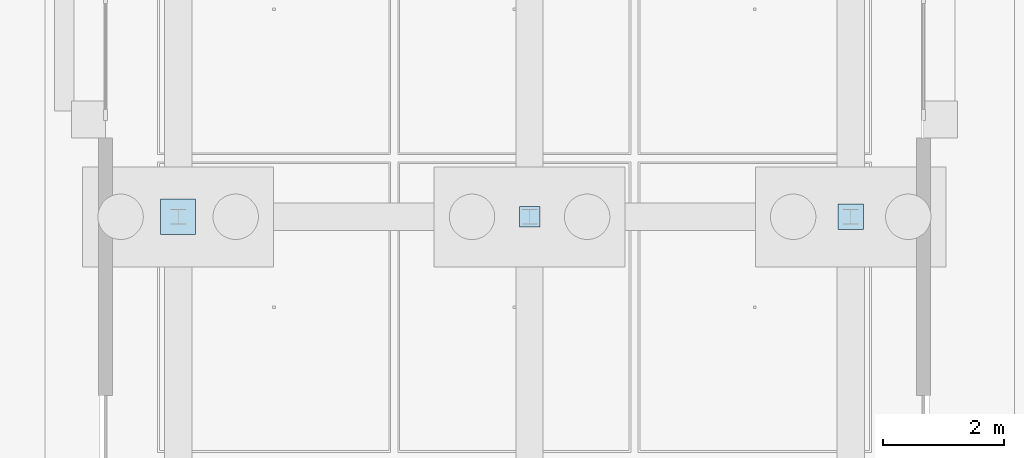
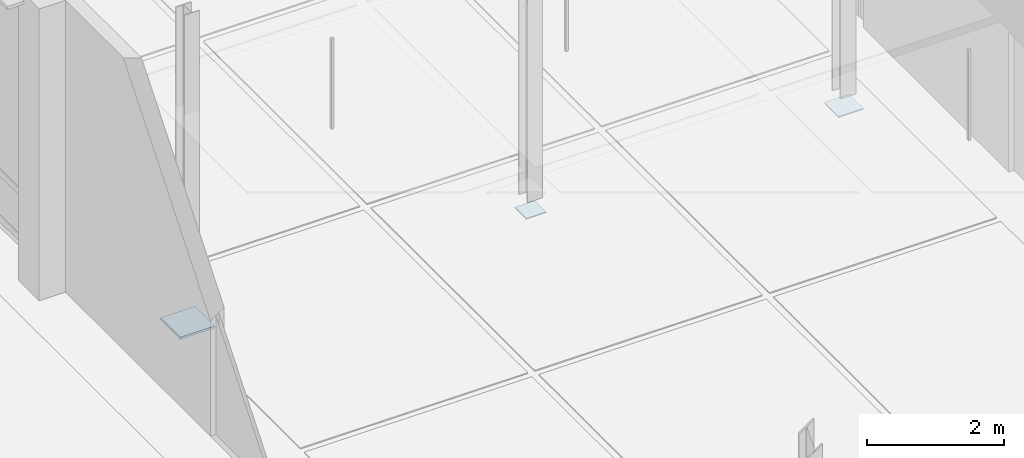
# One storey, part 86 of 180: 3 plates.
"""IFC4 building model written with IfcOpenShell, lengths in metres."""

from ifc_helpers import new_model, si_unit, direction, frame, origin, origin_2d, place, context, subcontext, project, spatial, rectangle, extrude, material, layer, layer_set, type_object, element, save


model = new_model("IFC4")

# Units and contexts
model_context = context("Model", 3, precision=1e-05, world=origin(), true_north=direction((0.0, 1.0)))
body_context = subcontext(model_context, "Body", "Model", "MODEL_VIEW")
ifc_project = project(units=[si_unit("LENGTHUNIT", "METRE"), si_unit("AREAUNIT", "SQUARE_METRE"), si_unit("VOLUMEUNIT", "CUBIC_METRE"), si_unit("PLANEANGLEUNIT", "RADIAN"), si_unit("MASSUNIT", "GRAM", prefix="KILO"), si_unit("THERMODYNAMICTEMPERATUREUNIT", "KELVIN"), si_unit("POWERUNIT", "WATT")], contexts=[model_context])

# Site, building, storey
site_placement = place(None, origin())
site = spatial("IfcSite", under=ifc_project, at=site_placement, CompositionType="ELEMENT")
building_placement = place(site_placement, origin())
building = spatial("IfcBuilding", under=site, at=building_placement, Name="Tallowbark Science Centre", CompositionType="ELEMENT")
storey_placement = place(building_placement, origin())
storey = spatial("IfcBuildingStorey", under=building, at=storey_placement, Name="L00", CompositionType="ELEMENT", Elevation=0.0)

# Plates
ifc_material = material(Name="Structural Steel Grade 300PLUS (300 MPa)", Category="steel")
ifc_layer_1 = layer(ifc_material, 0.013916015625)
ifc_layer_set_1 = layer_set([ifc_layer_1], Name="Structural Steel Grade 300PLUS (300 MPa)")
plate_type_1 = type_object("IfcPlateType", Name="PLT-GUS-14", PredefinedType="SHEET", material=ifc_layer_set_1)
plate_1_placement = place(storey_placement, frame((106.0, 60.199951171875, -0.23974609375), z_axis=(0.0, 0.0, 1.0), x_axis=(1.0, 0.0, 0.0)))
element("IfcPlate", 1, at=plate_1_placement, inside=storey, type_object=plate_type_1, Name="Column Baseplate LNK-1_2", PredefinedType="SHEET", context=body_context, shape_type="SweptSolid", body=[
    extrude(rectangle(XDim=0.340087890625, YDim=0.340087890625, at=origin_2d()), origin(), (0.0, 0.0, 1.0), 0.013916015625),
])
ifc_layer_2 = layer(ifc_material, 0.02197265625)
ifc_layer_set_2 = layer_set([ifc_layer_2], Name="Structural Steel Grade 300PLUS (300 MPa)")
plate_type_2 = type_object("IfcPlateType", Name="PLT-GUS-22", PredefinedType="SHEET", material=ifc_layer_set_2)
plate_2_placement = place(storey_placement, frame((111.300048828125, 60.199951171875, -0.239990234375), z_axis=(0.0, 0.0, 1.0), x_axis=(1.0, 0.0, 0.0)))
element("IfcPlate", 2, at=plate_2_placement, inside=storey, type_object=plate_type_2, Name="Column Baseplate LNK-2_2", PredefinedType="SHEET", context=body_context, shape_type="SweptSolid", body=[
    extrude(rectangle(XDim=0.419921875, YDim=0.419921875, at=origin_2d()), origin(), (0.0, 0.0, 1.0), 0.02197265625),
])
ifc_layer_3 = layer(ifc_material, 0.0380859375)
ifc_layer_set_3 = layer_set([ifc_layer_3], Name="Structural Steel Grade 300PLUS (300 MPa)")
plate_type_3 = type_object("IfcPlateType", Name="PLT-GUS-38", PredefinedType="SHEET", material=ifc_layer_set_3)
plate_3_placement = place(storey_placement, frame((100.199951171875, 60.199951171875, -0.239990234375), z_axis=(0.0, 0.0, 1.0), x_axis=(1.0, 0.0, 0.0)))
element("IfcPlate", 3, at=plate_3_placement, inside=storey, type_object=plate_type_3, Name="Column Baseplate LNK-0_2", PredefinedType="SHEET", context=body_context, shape_type="SweptSolid", body=[
    extrude(rectangle(XDim=0.580078125, YDim=0.580078125, at=origin_2d()), origin(), (0.0, 0.0, 1.0), 0.0380859375),
])

save(model, "model.ifc")
